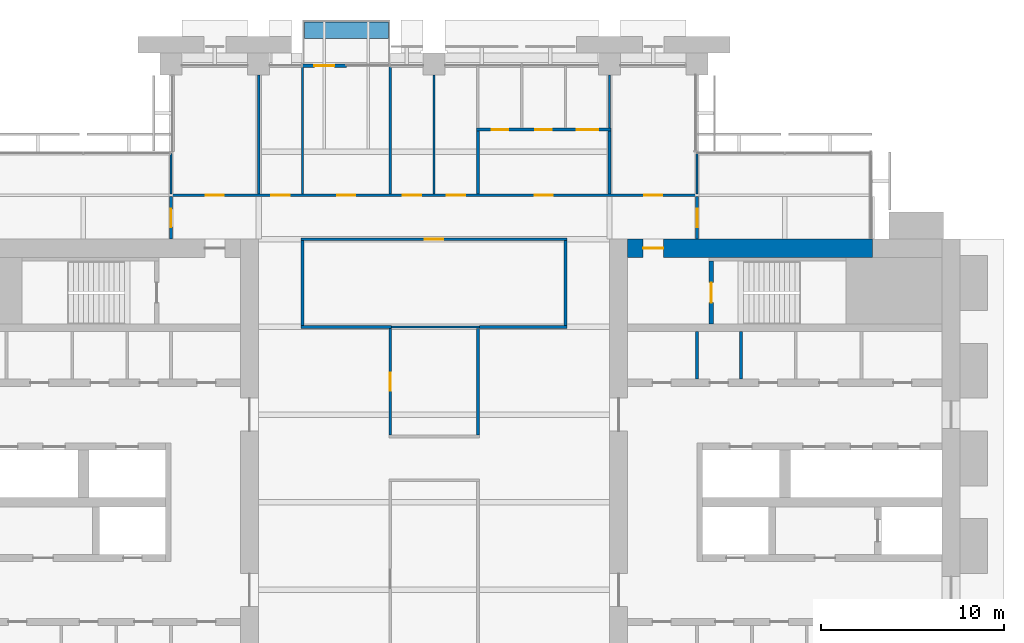
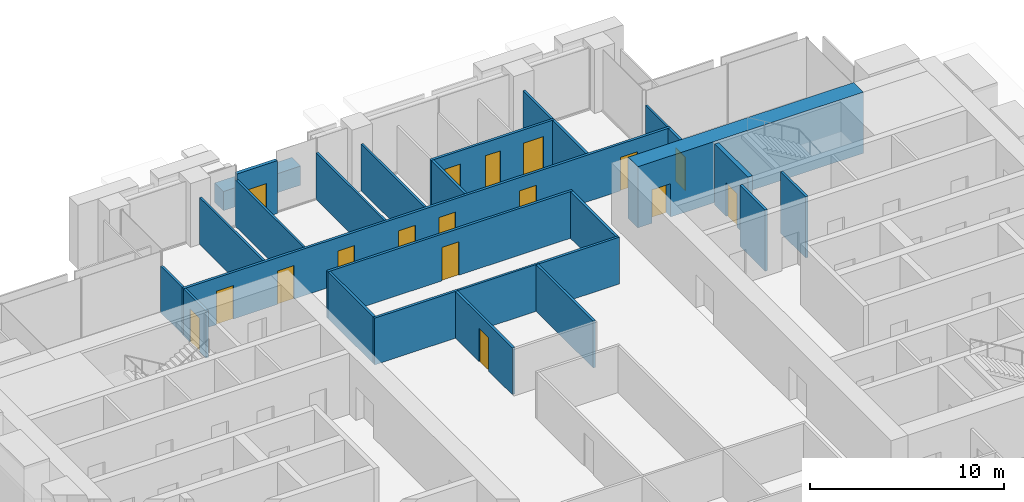
# One storey, part 12 of 15: 27 walls, 17 doors, 17 openings.
"""IFC4 building model written with IfcOpenShell, lengths in metres."""

from ifc_helpers import new_model, si_unit, direction, frame, frame_2d, origin, place, context, subcontext, project, spatial, rectangle, extrude, material, layer, layer_set, type_object, element, fill, save


model = new_model("IFC4")

# Units and contexts
model_context = context("Model", 3, precision=1e-05, world=origin(), true_north=direction((0.0, 1.0)))
body_context = subcontext(model_context, "Body", "Model", "MODEL_VIEW")
ifc_project = project(units=[si_unit("LENGTHUNIT", "METRE"), si_unit("AREAUNIT", "SQUARE_METRE"), si_unit("VOLUMEUNIT", "CUBIC_METRE"), si_unit("PLANEANGLEUNIT", "RADIAN"), si_unit("MASSUNIT", "GRAM", prefix="KILO")], contexts=[model_context])

# Site, building, storey
site_placement = place(None, origin())
site = spatial("IfcSite", under=ifc_project, at=site_placement, CompositionType="ELEMENT")
building_placement = place(site_placement, origin())
building = spatial("IfcBuilding", under=site, at=building_placement, Name="Baori Bourse Tower", CompositionType="ELEMENT")
storey_placement = place(building_placement, frame((0.0, 0.0, 128.10009765625)))
storey = spatial("IfcBuildingStorey", under=building, at=storey_placement, Name="L27", CompositionType="ELEMENT", Elevation=128.10009765625)

# Walls
ifc_material_1 = material(Name="Blockwork partition", Category="masonry")
ifc_layer_1 = layer(ifc_material_1, 0.14990234375)
ifc_layer_set_1 = layer_set([ifc_layer_1], Name="Core partition 150")
wall_type_1 = type_object("IfcWallType", Name="Core partition 150", PredefinedType="PARTITIONING", material=ifc_layer_set_1)
for number, where, z_axis, x_axis, name in (
    (1, (45.60009765625, 30.75, 0.0), (0.0, 0.0, 1.0), (0.0, 1.0, 0.0), "Partition wall E25"),
    (2, (43.199951171875, 30.75, 0.0), (0.0, 0.0, 1.0), (0.0, 1.0, 0.0), "Partition wall E26"),
):
    element("IfcWall", number, at=place(storey_placement, frame(where, z_axis=z_axis, x_axis=x_axis)), inside=storey, type_object=wall_type_1, Name=name, PredefinedType="PARTITIONING", context=body_context, shape_type="SweptSolid", body=[
        extrude(rectangle(XDim=2.60009765625, YDim=0.14990234375, at=frame_2d((1.300048828125, 0.0))), origin(), (0.0, 0.0, 1.0), 3.83984375),
    ])

# Wall, opening, door
ifc_material_2 = material(Name="Concrete f'c 60 MPa", Category="concrete")
ifc_layer_2 = layer(ifc_material_2, 1.0)
ifc_layer_set_2 = layer_set([ifc_layer_2], Name="Core wall 1000 f'c 60")
wall_type_2 = type_object("IfcWallType", Name="Core wall 1000 f'c 60", PredefinedType="SHEAR", material=ifc_layer_set_2)
wall_1_placement = place(storey_placement, frame((39.39990234375, 37.89990234375, 0.0), z_axis=(0.0, 0.0, 1.0), x_axis=(1.0, 0.0, 0.0)))
wall_1 = element("IfcWall", 3, at=wall_1_placement, inside=storey, type_object=wall_type_2, Name="Core wall E32", PredefinedType="SHEAR", context=body_context, shape_type="SweptSolid", body=[
    extrude(rectangle(XDim=13.400146484375, YDim=1.0, at=frame_2d((6.7001953125, 0.0))), origin(), (0.0, 0.0, 1.0), 3.83984375),
])
opening_1_placement = place(wall_1_placement, frame((0.85009765625, 0.0, 0.0)))
opening_1 = element("IfcOpeningElement", 4, at=opening_1_placement, cuts=wall_1, Name="Opening L27-D204", PredefinedType="OPENING", context=body_context, shape_type="SweptSolid", body=[
    extrude(rectangle(XDim=1.10009765625, YDim=2.10009765625, at=frame_2d((0.550048828125, 1.050048828125))), frame((0.0, 0.510009765625, 0.0), z_axis=(0.0, -1.0, 0.0), x_axis=(1.0, 0.0, 0.0)), (0.0, 0.0, 1.0), 1.02001953125),
])
ifc_material_3 = material(Name="Painted steel door", Category="steel")
door_type_1 = type_object("IfcDoorType", Name="Stair door 1100", OperationType="SINGLE_SWING_LEFT", PredefinedType="DOOR", material=ifc_material_3)
door_1_placement = place(opening_1_placement, origin())
door_1 = element("IfcDoor", 5, at=door_1_placement, inside=storey, type_object=door_type_1, Name="Stair vestibule door B E L27", OperationType="SINGLE_SWING_LEFT", OverallHeight=2.10009765625, OverallWidth=1.10009765625, PredefinedType="DOOR", context=body_context, shape_type="SweptSolid", body=[
    extrude(rectangle(XDim=1.10009765625, YDim=2.10009765625, at=frame_2d((0.550048828125, 1.050048828125))), frame((0.0, 0.02490234375, 0.0), z_axis=(0.0, -1.0, 0.0), x_axis=(1.0, 0.0, 0.0)), (0.0, 0.0, 1.0), 0.050048828125),
])
fill(opening_1, door_1)

# Walls
ifc_material_4 = material(Name="Gypsum board partition")
ifc_layer_3 = layer(ifc_material_4, 0.14990234375)
ifc_layer_set_3 = layer_set([ifc_layer_3], Name="Corridor partition 150")
wall_type_3 = type_object("IfcWallType", Name="Corridor partition 150", PredefinedType="PARTITIONING", material=ifc_layer_set_3)
wall_2_placement = place(storey_placement, frame((21.52490234375, 33.60009765625, 0.0), z_axis=(0.0, 0.0, 1.0), x_axis=(1.0, 0.0, 0.0)))
element("IfcWall", 6, at=wall_2_placement, inside=storey, type_object=wall_type_3, Name="Partition", PredefinedType="PARTITIONING", context=body_context, shape_type="SweptSolid", body=[
    extrude(rectangle(XDim=4.9501953125, YDim=0.14990234375, at=frame_2d((2.47509765625, 0.0))), origin(), (0.0, 0.0, 1.0), 2.935546875),
])
wall_3_placement = place(storey_placement, frame((31.27490234375, 33.60009765625, 0.0), z_axis=(0.0, 0.0, 1.0), x_axis=(1.0, 0.0, 0.0)))
element("IfcWall", 7, at=wall_3_placement, inside=storey, type_object=wall_type_3, Name="Partition", PredefinedType="PARTITIONING", context=body_context, shape_type="SweptSolid", body=[
    extrude(rectangle(XDim=4.800048828125, YDim=0.14990234375, at=frame_2d((2.39990234375, 0.0))), origin(), (0.0, 0.0, 1.0), 2.935546875),
])

# Wall, opening, door
wall_4_placement = place(storey_placement, frame((21.52490234375, 38.39990234375, 0.0), z_axis=(0.0, 0.0, 1.0), x_axis=(1.0, 0.0, 0.0)))
wall_4 = element("IfcWall", 8, at=wall_4_placement, inside=storey, type_object=wall_type_3, Name="Partition", PredefinedType="PARTITIONING", context=body_context, shape_type="SweptSolid", body=[
    extrude(rectangle(XDim=14.550048828125, YDim=0.14990234375, at=frame_2d((7.27490234375, 0.0))), origin(), (0.0, 0.0, 1.0), 2.935546875),
])
opening_2_placement = place(wall_4_placement, frame((6.77490234375, 0.0, 0.0)))
opening_2 = element("IfcOpeningElement", 9, at=opening_2_placement, cuts=wall_4, Name="Opening L27-D08", PredefinedType="OPENING", context=body_context, shape_type="SweptSolid", body=[
    extrude(rectangle(XDim=1.0, YDim=2.10009765625, at=frame_2d((0.5, 1.050048828125))), frame((0.0, 0.0849609375, 0.0), z_axis=(0.0, -1.0, 0.0), x_axis=(1.0, 0.0, 0.0)), (0.0, 0.0, 1.0), 0.169921875),
])
ifc_material_5 = material(Name="Timber door leaf", Category="wood")
door_type_2 = type_object("IfcDoorType", Name="Door 1000 x 2100", OperationType="SINGLE_SWING_LEFT", PredefinedType="DOOR", material=ifc_material_5)
door_2_placement = place(opening_2_placement, origin())
door_2 = element("IfcDoor", 10, at=door_2_placement, inside=storey, type_object=door_type_2, Name="Door", OperationType="SINGLE_SWING_LEFT", OverallHeight=2.10009765625, OverallWidth=1.0, PredefinedType="DOOR", context=body_context, shape_type="SweptSolid", body=[
    extrude(rectangle(XDim=1.0, YDim=2.10009765625, at=frame_2d((0.5, 1.050048828125))), frame((0.0, 0.02490234375, 0.0), z_axis=(0.0, -1.0, 0.0), x_axis=(1.0, 0.0, 0.0)), (0.0, 0.0, 1.0), 0.050048828125),
])
fill(opening_2, door_2)

# Wall, openings, doors
wall_5_placement = place(storey_placement, frame((14.324951171875, 40.800048828125, 0.0), z_axis=(0.0, 0.0, 1.0), x_axis=(1.0, 0.0, 0.0)))
wall_5 = element("IfcWall", 11, at=wall_5_placement, inside=storey, type_object=wall_type_3, Name="Partition", PredefinedType="PARTITIONING", context=body_context, shape_type="SweptSolid", body=[
    extrude(rectangle(XDim=28.949951171875, YDim=0.14990234375, at=frame_2d((14.47509765625, 0.0))), origin(), (0.0, 0.0, 1.0), 2.935546875),
])
opening_3_placement = place(wall_5_placement, frame((1.97509765625, 0.0, 0.0)))
opening_3 = element("IfcOpeningElement", 12, at=opening_3_placement, cuts=wall_5, Name="Opening L27-D09", PredefinedType="OPENING", context=body_context, shape_type="SweptSolid", body=[
    extrude(rectangle(XDim=1.0, YDim=2.10009765625, at=frame_2d((0.5, 1.050048828125))), frame((0.0, 0.0849609375, 0.0), z_axis=(0.0, -1.0, 0.0), x_axis=(1.0, 0.0, 0.0)), (0.0, 0.0, 1.0), 0.169921875),
])
opening_4_placement = place(wall_5_placement, frame((5.574951171875, 0.0, 0.0)))
opening_4 = element("IfcOpeningElement", 13, at=opening_4_placement, cuts=wall_5, Name="Opening L27-D10", PredefinedType="OPENING", context=body_context, shape_type="SweptSolid", body=[
    extrude(rectangle(XDim=1.0, YDim=2.10009765625, at=frame_2d((0.5, 1.050048828125))), frame((0.0, 0.0849609375, 0.0), z_axis=(0.0, -1.0, 0.0), x_axis=(1.0, 0.0, 0.0)), (0.0, 0.0, 1.0), 0.169921875),
])
opening_5_placement = place(wall_5_placement, frame((9.175048828125, 0.0, 0.0)))
opening_5 = element("IfcOpeningElement", 14, at=opening_5_placement, cuts=wall_5, Name="Opening L27-D11", PredefinedType="OPENING", context=body_context, shape_type="SweptSolid", body=[
    extrude(rectangle(XDim=1.0, YDim=2.10009765625, at=frame_2d((0.5, 1.050048828125))), frame((0.0, 0.0849609375, 0.0), z_axis=(0.0, -1.0, 0.0), x_axis=(1.0, 0.0, 0.0)), (0.0, 0.0, 1.0), 0.169921875),
])
opening_6_placement = place(wall_5_placement, frame((12.77490234375, 0.0, 0.0)))
opening_6 = element("IfcOpeningElement", 15, at=opening_6_placement, cuts=wall_5, Name="Opening L27-D12", PredefinedType="OPENING", context=body_context, shape_type="SweptSolid", body=[
    extrude(rectangle(XDim=1.0, YDim=2.10009765625, at=frame_2d((0.5, 1.050048828125))), frame((0.0, 0.0849609375, 0.0), z_axis=(0.0, -1.0, 0.0), x_axis=(1.0, 0.0, 0.0)), (0.0, 0.0, 1.0), 0.169921875),
])
opening_7_placement = place(wall_5_placement, frame((15.175048828125, 0.0, 0.0)))
opening_7 = element("IfcOpeningElement", 16, at=opening_7_placement, cuts=wall_5, Name="Opening L27-D13", PredefinedType="OPENING", context=body_context, shape_type="SweptSolid", body=[
    extrude(rectangle(XDim=1.0, YDim=2.10009765625, at=frame_2d((0.5, 1.050048828125))), frame((0.0, 0.0849609375, 0.0), z_axis=(0.0, -1.0, 0.0), x_axis=(1.0, 0.0, 0.0)), (0.0, 0.0, 1.0), 0.169921875),
])
opening_8_placement = place(wall_5_placement, frame((19.97509765625, 0.0, 0.0)))
opening_8 = element("IfcOpeningElement", 17, at=opening_8_placement, cuts=wall_5, Name="Opening L27-D14", PredefinedType="OPENING", context=body_context, shape_type="SweptSolid", body=[
    extrude(rectangle(XDim=1.0, YDim=2.10009765625, at=frame_2d((0.5, 1.050048828125))), frame((0.0, 0.0849609375, 0.0), z_axis=(0.0, -1.0, 0.0), x_axis=(1.0, 0.0, 0.0)), (0.0, 0.0, 1.0), 0.169921875),
])
opening_9_placement = place(wall_5_placement, frame((25.97509765625, 0.0, 0.0)))
opening_9 = element("IfcOpeningElement", 18, at=opening_9_placement, cuts=wall_5, Name="Opening L27-D15", PredefinedType="OPENING", context=body_context, shape_type="SweptSolid", body=[
    extrude(rectangle(XDim=1.0, YDim=2.10009765625, at=frame_2d((0.5, 1.050048828125))), frame((0.0, 0.0849609375, 0.0), z_axis=(0.0, -1.0, 0.0), x_axis=(1.0, 0.0, 0.0)), (0.0, 0.0, 1.0), 0.169921875),
])
door_3_placement = place(opening_3_placement, origin())
door_3 = element("IfcDoor", 19, at=door_3_placement, inside=storey, type_object=door_type_2, Name="Door", OperationType="SINGLE_SWING_RIGHT", OverallHeight=2.10009765625, OverallWidth=1.0, PredefinedType="DOOR", context=body_context, shape_type="SweptSolid", body=[
    extrude(rectangle(XDim=1.0, YDim=2.10009765625, at=frame_2d((0.5, 1.050048828125))), frame((0.0, 0.02490234375, 0.0), z_axis=(0.0, -1.0, 0.0), x_axis=(1.0, 0.0, 0.0)), (0.0, 0.0, 1.0), 0.050048828125),
])
fill(opening_3, door_3)
door_4_placement = place(opening_4_placement, origin())
door_4 = element("IfcDoor", 20, at=door_4_placement, inside=storey, type_object=door_type_2, Name="Door", OperationType="SINGLE_SWING_RIGHT", OverallHeight=2.10009765625, OverallWidth=1.0, PredefinedType="DOOR", context=body_context, shape_type="SweptSolid", body=[
    extrude(rectangle(XDim=1.0, YDim=2.10009765625, at=frame_2d((0.5, 1.050048828125))), frame((0.0, 0.02490234375, 0.0), z_axis=(0.0, -1.0, 0.0), x_axis=(1.0, 0.0, 0.0)), (0.0, 0.0, 1.0), 0.050048828125),
])
fill(opening_4, door_4)
door_5_placement = place(opening_5_placement, origin())
door_5 = element("IfcDoor", 21, at=door_5_placement, inside=storey, type_object=door_type_2, Name="Door", OperationType="SINGLE_SWING_RIGHT", OverallHeight=2.10009765625, OverallWidth=1.0, PredefinedType="DOOR", context=body_context, shape_type="SweptSolid", body=[
    extrude(rectangle(XDim=1.0, YDim=2.10009765625, at=frame_2d((0.5, 1.050048828125))), frame((0.0, 0.02490234375, 0.0), z_axis=(0.0, -1.0, 0.0), x_axis=(1.0, 0.0, 0.0)), (0.0, 0.0, 1.0), 0.050048828125),
])
fill(opening_5, door_5)
door_6_placement = place(opening_6_placement, origin())
door_6 = element("IfcDoor", 22, at=door_6_placement, inside=storey, type_object=door_type_2, Name="Door", OperationType="SINGLE_SWING_RIGHT", OverallHeight=2.10009765625, OverallWidth=1.0, PredefinedType="DOOR", context=body_context, shape_type="SweptSolid", body=[
    extrude(rectangle(XDim=1.0, YDim=2.10009765625, at=frame_2d((0.5, 1.050048828125))), frame((0.0, 0.02490234375, 0.0), z_axis=(0.0, -1.0, 0.0), x_axis=(1.0, 0.0, 0.0)), (0.0, 0.0, 1.0), 0.050048828125),
])
fill(opening_6, door_6)
door_7_placement = place(opening_7_placement, origin())
door_7 = element("IfcDoor", 23, at=door_7_placement, inside=storey, type_object=door_type_2, Name="Door", OperationType="SINGLE_SWING_LEFT", OverallHeight=2.10009765625, OverallWidth=1.0, PredefinedType="DOOR", context=body_context, shape_type="SweptSolid", body=[
    extrude(rectangle(XDim=1.0, YDim=2.10009765625, at=frame_2d((0.5, 1.050048828125))), frame((0.0, 0.02490234375, 0.0), z_axis=(0.0, -1.0, 0.0), x_axis=(1.0, 0.0, 0.0)), (0.0, 0.0, 1.0), 0.050048828125),
])
fill(opening_7, door_7)
door_8_placement = place(opening_8_placement, origin())
door_8 = element("IfcDoor", 24, at=door_8_placement, inside=storey, type_object=door_type_2, Name="Door", OperationType="SINGLE_SWING_RIGHT", OverallHeight=2.10009765625, OverallWidth=1.0, PredefinedType="DOOR", context=body_context, shape_type="SweptSolid", body=[
    extrude(rectangle(XDim=1.0, YDim=2.10009765625, at=frame_2d((0.5, 1.050048828125))), frame((0.0, 0.02490234375, 0.0), z_axis=(0.0, -1.0, 0.0), x_axis=(1.0, 0.0, 0.0)), (0.0, 0.0, 1.0), 0.050048828125),
])
fill(opening_8, door_8)
door_9_placement = place(opening_9_placement, origin())
door_9 = element("IfcDoor", 25, at=door_9_placement, inside=storey, type_object=door_type_2, Name="Door", OperationType="SINGLE_SWING_LEFT", OverallHeight=2.10009765625, OverallWidth=1.0, PredefinedType="DOOR", context=body_context, shape_type="SweptSolid", body=[
    extrude(rectangle(XDim=1.0, YDim=2.10009765625, at=frame_2d((0.5, 1.050048828125))), frame((0.0, 0.02490234375, 0.0), z_axis=(0.0, -1.0, 0.0), x_axis=(1.0, 0.0, 0.0)), (0.0, 0.0, 1.0), 0.050048828125),
])
fill(opening_9, door_9)

wall_6_placement = place(storey_placement, frame((31.125, 44.39990234375, 0.0), z_axis=(0.0, 0.0, 1.0), x_axis=(1.0, 0.0, 0.0)))
wall_6 = element("IfcWall", 26, at=wall_6_placement, inside=storey, type_object=wall_type_3, Name="Partition", PredefinedType="PARTITIONING", context=body_context, shape_type="SweptSolid", body=[
    extrude(rectangle(XDim=7.35009765625, YDim=0.14990234375, at=frame_2d((3.675048828125, 0.0))), origin(), (0.0, 0.0, 1.0), 2.935546875),
])
opening_10_placement = place(wall_6_placement, frame((0.824951171875, 0.0, 0.0)))
opening_10 = element("IfcOpeningElement", 27, at=opening_10_placement, cuts=wall_6, Name="Opening L27-D16", PredefinedType="OPENING", context=body_context, shape_type="SweptSolid", body=[
    extrude(rectangle(XDim=0.89990234375, YDim=2.10009765625, at=frame_2d((0.449951171875, 1.050048828125))), frame((0.0, 0.0849609375, 0.0), z_axis=(0.0, -1.0, 0.0), x_axis=(1.0, 0.0, 0.0)), (0.0, 0.0, 1.0), 0.169921875),
])
opening_11_placement = place(wall_6_placement, frame((3.22509765625, 0.0, 0.0)))
opening_11 = element("IfcOpeningElement", 28, at=opening_11_placement, cuts=wall_6, Name="Opening L27-D17", PredefinedType="OPENING", context=body_context, shape_type="SweptSolid", body=[
    extrude(rectangle(XDim=0.89990234375, YDim=2.10009765625, at=frame_2d((0.449951171875, 1.050048828125))), frame((0.0, 0.0849609375, 0.0), z_axis=(0.0, -1.0, 0.0), x_axis=(1.0, 0.0, 0.0)), (0.0, 0.0, 1.0), 0.169921875),
])
opening_12_placement = place(wall_6_placement, frame((5.47509765625, 0.0, 0.0)))
opening_12 = element("IfcOpeningElement", 29, at=opening_12_placement, cuts=wall_6, Name="Opening L27-D18", PredefinedType="OPENING", context=body_context, shape_type="SweptSolid", body=[
    extrude(rectangle(XDim=1.199951171875, YDim=2.10009765625, at=frame_2d((0.60009765625, 1.050048828125))), frame((0.0, 0.0849609375, 0.0), z_axis=(0.0, -1.0, 0.0), x_axis=(1.0, 0.0, 0.0)), (0.0, 0.0, 1.0), 0.169921875),
])
ifc_material_6 = material(Name="Timber door leaf", Category="wood")
door_type_3 = type_object("IfcDoorType", Name="Door 1200 x 2100", OperationType="SINGLE_SWING_LEFT", PredefinedType="DOOR", material=ifc_material_6)
door_10_placement = place(opening_12_placement, origin())
door_10 = element("IfcDoor", 30, at=door_10_placement, inside=storey, type_object=door_type_3, Name="Door", OperationType="SINGLE_SWING_LEFT", OverallHeight=2.10009765625, OverallWidth=1.199951171875, PredefinedType="DOOR", context=body_context, shape_type="SweptSolid", body=[
    extrude(rectangle(XDim=1.199951171875, YDim=2.10009765625, at=frame_2d((0.60009765625, 1.050048828125))), frame((0.0, 0.02490234375, 0.0), z_axis=(0.0, -1.0, 0.0), x_axis=(1.0, 0.0, 0.0)), (0.0, 0.0, 1.0), 0.050048828125),
])
fill(opening_12, door_10)
ifc_material_7 = material(Name="Timber door leaf", Category="wood")
door_type_4 = type_object("IfcDoorType", Name="Door 900 x 2100", OperationType="SINGLE_SWING_LEFT", PredefinedType="DOOR", material=ifc_material_7)
door_11_placement = place(opening_10_placement, origin())
door_11 = element("IfcDoor", 31, at=door_11_placement, inside=storey, type_object=door_type_4, Name="Door", OperationType="SINGLE_SWING_RIGHT", OverallHeight=2.10009765625, OverallWidth=0.89990234375, PredefinedType="DOOR", context=body_context, shape_type="SweptSolid", body=[
    extrude(rectangle(XDim=0.89990234375, YDim=2.10009765625, at=frame_2d((0.449951171875, 1.050048828125))), frame((0.0, 0.02490234375, 0.0), z_axis=(0.0, -1.0, 0.0), x_axis=(1.0, 0.0, 0.0)), (0.0, 0.0, 1.0), 0.050048828125),
])
fill(opening_10, door_11)
door_12_placement = place(opening_11_placement, origin())
door_12 = element("IfcDoor", 32, at=door_12_placement, inside=storey, type_object=door_type_4, Name="Door", OperationType="SINGLE_SWING_RIGHT", OverallHeight=2.10009765625, OverallWidth=0.89990234375, PredefinedType="DOOR", context=body_context, shape_type="SweptSolid", body=[
    extrude(rectangle(XDim=0.89990234375, YDim=2.10009765625, at=frame_2d((0.449951171875, 1.050048828125))), frame((0.0, 0.02490234375, 0.0), z_axis=(0.0, -1.0, 0.0), x_axis=(1.0, 0.0, 0.0)), (0.0, 0.0, 1.0), 0.050048828125),
])
fill(opening_11, door_12)

# Wall, opening, door
wall_7_placement = place(storey_placement, frame((14.39990234375, 38.39990234375, 0.0), z_axis=(0.0, 0.0, 1.0), x_axis=(0.0, 1.0, 0.0)))
wall_7 = element("IfcWall", 33, at=wall_7_placement, inside=storey, type_object=wall_type_3, Name="Partition", PredefinedType="PARTITIONING", context=body_context, shape_type="SweptSolid", body=[
    extrude(rectangle(XDim=2.3251953125, YDim=0.14990234375, at=frame_2d((1.16259765625, 0.0))), origin(), (0.0, 0.0, 1.0), 2.935546875),
])
opening_13_placement = place(wall_7_placement, frame((0.66259765625, 0.0, 0.0)))
opening_13 = element("IfcOpeningElement", 34, at=opening_13_placement, cuts=wall_7, Name="Opening L27-D20", PredefinedType="OPENING", context=body_context, shape_type="SweptSolid", body=[
    extrude(rectangle(XDim=1.0, YDim=2.10009765625, at=frame_2d((0.5, 1.050048828125))), frame((0.0, 0.0849609375, 0.0), z_axis=(0.0, -1.0, 0.0), x_axis=(1.0, 0.0, 0.0)), (0.0, 0.0, 1.0), 0.169921875),
])
door_13_placement = place(opening_13_placement, origin())
door_13 = element("IfcDoor", 35, at=door_13_placement, inside=storey, type_object=door_type_2, Name="Door", OperationType="SINGLE_SWING_RIGHT", OverallHeight=2.10009765625, OverallWidth=1.0, PredefinedType="DOOR", context=body_context, shape_type="SweptSolid", body=[
    extrude(rectangle(XDim=1.0, YDim=2.10009765625, at=frame_2d((0.5, 1.050048828125))), frame((0.0, 0.02490234375, 0.0), z_axis=(0.0, -1.0, 0.0), x_axis=(1.0, 0.0, 0.0)), (0.0, 0.0, 1.0), 0.050048828125),
])
fill(opening_13, door_13)

# Wall
wall_8_placement = place(storey_placement, frame((21.60009765625, 33.675048828125, 0.0), z_axis=(0.0, 0.0, 1.0), x_axis=(0.0, 1.0, 0.0)))
element("IfcWall", 36, at=wall_8_placement, inside=storey, type_object=wall_type_3, Name="Partition", PredefinedType="PARTITIONING", context=body_context, shape_type="SweptSolid", body=[
    extrude(rectangle(XDim=4.64990234375, YDim=0.14990234375, at=frame_2d((2.324951171875, 0.0))), origin(), (0.0, 0.0, 1.0), 2.935546875),
])

# Wall, opening, door
wall_9_placement = place(storey_placement, frame((26.39990234375, 27.675048828125, 0.0), z_axis=(0.0, 0.0, 1.0), x_axis=(0.0, 1.0, 0.0)))
wall_9 = element("IfcWall", 37, at=wall_9_placement, inside=storey, type_object=wall_type_3, Name="Partition", PredefinedType="PARTITIONING", context=body_context, shape_type="SweptSolid", body=[
    extrude(rectangle(XDim=5.849853515625, YDim=0.14990234375, at=frame_2d((2.9248046875, 0.0))), origin(), (0.0, 0.0, 1.0), 2.935546875),
])
opening_14_placement = place(wall_9_placement, frame((2.425048828125, 0.0, 0.0)))
opening_14 = element("IfcOpeningElement", 38, at=opening_14_placement, cuts=wall_9, Name="Opening L27-D23", PredefinedType="OPENING", context=body_context, shape_type="SweptSolid", body=[
    extrude(rectangle(XDim=1.0, YDim=2.10009765625, at=frame_2d((0.5, 1.050048828125))), frame((0.0, 0.0849609375, 0.0), z_axis=(0.0, -1.0, 0.0), x_axis=(1.0, 0.0, 0.0)), (0.0, 0.0, 1.0), 0.169921875),
])
door_14_placement = place(opening_14_placement, origin())
door_14 = element("IfcDoor", 39, at=door_14_placement, inside=storey, type_object=door_type_2, Name="Door", OperationType="SINGLE_SWING_RIGHT", OverallHeight=2.10009765625, OverallWidth=1.0, PredefinedType="DOOR", context=body_context, shape_type="SweptSolid", body=[
    extrude(rectangle(XDim=1.0, YDim=2.10009765625, at=frame_2d((0.5, 1.050048828125))), frame((0.0, 0.02490234375, 0.0), z_axis=(0.0, -1.0, 0.0), x_axis=(1.0, 0.0, 0.0)), (0.0, 0.0, 1.0), 0.050048828125),
])
fill(opening_14, door_14)

# Walls
wall_10_placement = place(storey_placement, frame((31.199951171875, 27.675048828125, 0.0), z_axis=(0.0, 0.0, 1.0), x_axis=(0.0, 1.0, 0.0)))
element("IfcWall", 40, at=wall_10_placement, inside=storey, type_object=wall_type_3, Name="Partition", PredefinedType="PARTITIONING", context=body_context, shape_type="SweptSolid", body=[
    extrude(rectangle(XDim=5.849853515625, YDim=0.14990234375, at=frame_2d((2.9248046875, 0.0))), origin(), (0.0, 0.0, 1.0), 2.935546875),
])
wall_11_placement = place(storey_placement, frame((31.199951171875, 40.875, 0.0), z_axis=(0.0, 0.0, 1.0), x_axis=(0.0, 1.0, 0.0)))
element("IfcWall", 41, at=wall_11_placement, inside=storey, type_object=wall_type_3, Name="Partition", PredefinedType="PARTITIONING", context=body_context, shape_type="SweptSolid", body=[
    extrude(rectangle(XDim=3.449951171875, YDim=0.14990234375, at=frame_2d((1.72509765625, 0.0))), origin(), (0.0, 0.0, 1.0), 2.935546875),
])
wall_12_placement = place(storey_placement, frame((36.0, 33.675048828125, 0.0), z_axis=(0.0, 0.0, 1.0), x_axis=(0.0, 1.0, 0.0)))
element("IfcWall", 42, at=wall_12_placement, inside=storey, type_object=wall_type_3, Name="Partition", PredefinedType="PARTITIONING", context=body_context, shape_type="SweptSolid", body=[
    extrude(rectangle(XDim=4.64990234375, YDim=0.14990234375, at=frame_2d((2.324951171875, 0.0))), origin(), (0.0, 0.0, 1.0), 2.935546875),
])
wall_13_placement = place(storey_placement, frame((38.39990234375, 40.875, 0.0), z_axis=(0.0, 0.0, 1.0), x_axis=(0.0, 1.0, 0.0)))
element("IfcWall", 43, at=wall_13_placement, inside=storey, type_object=wall_type_3, Name="Partition", PredefinedType="PARTITIONING", context=body_context, shape_type="SweptSolid", body=[
    extrude(rectangle(XDim=3.449951171875, YDim=0.14990234375, at=frame_2d((1.72509765625, 0.0))), origin(), (0.0, 0.0, 1.0), 2.935546875),
])

# Wall, opening, door
wall_14_placement = place(storey_placement, frame((43.199951171875, 38.39990234375, 0.0), z_axis=(0.0, 0.0, 1.0), x_axis=(0.0, 1.0, 0.0)))
wall_14 = element("IfcWall", 44, at=wall_14_placement, inside=storey, type_object=wall_type_3, Name="Partition", PredefinedType="PARTITIONING", context=body_context, shape_type="SweptSolid", body=[
    extrude(rectangle(XDim=2.3251953125, YDim=0.14990234375, at=frame_2d((1.16259765625, 0.0))), origin(), (0.0, 0.0, 1.0), 2.935546875),
])
opening_15_placement = place(wall_14_placement, frame((0.66259765625, 0.0, 0.0)))
opening_15 = element("IfcOpeningElement", 45, at=opening_15_placement, cuts=wall_14, Name="Opening L27-D25", PredefinedType="OPENING", context=body_context, shape_type="SweptSolid", body=[
    extrude(rectangle(XDim=1.0, YDim=2.10009765625, at=frame_2d((0.5, 1.050048828125))), frame((0.0, 0.0849609375, 0.0), z_axis=(0.0, -1.0, 0.0), x_axis=(1.0, 0.0, 0.0)), (0.0, 0.0, 1.0), 0.169921875),
])
door_15_placement = place(opening_15_placement, origin())
door_15 = element("IfcDoor", 46, at=door_15_placement, inside=storey, type_object=door_type_2, Name="Door", OperationType="SINGLE_SWING_LEFT", OverallHeight=2.10009765625, OverallWidth=1.0, PredefinedType="DOOR", context=body_context, shape_type="SweptSolid", body=[
    extrude(rectangle(XDim=1.0, YDim=2.10009765625, at=frame_2d((0.5, 1.050048828125))), frame((0.0, 0.02490234375, 0.0), z_axis=(0.0, -1.0, 0.0), x_axis=(1.0, 0.0, 0.0)), (0.0, 0.0, 1.0), 0.050048828125),
])
fill(opening_15, door_15)

ifc_material_8 = material(Name="Pale anodised aluminium", Category="aluminium")
ifc_layer_4 = layer(ifc_material_8, 0.199951171875)
ifc_layer_set_4 = layer_set([ifc_layer_4], Name="EW1 External wall bay")
wall_type_4 = type_object("IfcWallType", Name="EW1 External wall bay", PredefinedType="SOLIDWALL", material=ifc_layer_set_4)
wall_15_placement = place(storey_placement, frame((24.0, 47.89990234375, 0.0), z_axis=(0.0, 0.0, 1.0), x_axis=(-1.0, 0.0, 0.0)))
wall_15 = element("IfcWall", 47, at=wall_15_placement, inside=storey, type_object=wall_type_4, Name="External wall bay L27 1", PredefinedType="SOLIDWALL", context=body_context, shape_type="SweptSolid", body=[
    extrude(rectangle(XDim=2.39990234375, YDim=0.199951171875, at=frame_2d((1.199951171875, 0.0))), origin(), (0.0, 0.0, 1.0), 3.314208984375),
])
opening_16_placement = place(wall_15_placement, frame((0.64990234375, 0.0, 0.0)))
opening_16 = element("IfcOpeningElement", 48, at=opening_16_placement, cuts=wall_15, Name="Opening L27-D91", PredefinedType="OPENING", context=body_context, shape_type="SweptSolid", body=[
    extrude(rectangle(XDim=1.10009765625, YDim=2.10009765625, at=frame_2d((0.550048828125, 1.050048828125))), frame((0.0, 0.10986328125, 0.0), z_axis=(0.0, -1.0, 0.0), x_axis=(1.0, 0.0, 0.0)), (0.0, 0.0, 1.0), 0.219970703125),
])
ifc_material_9 = material(Name="Pale anodised aluminium", Category="aluminium")
door_type_5 = type_object("IfcDoorType", Name="BL1 Balcony door", OperationType="SINGLE_SWING_LEFT", PredefinedType="DOOR", material=ifc_material_9)
door_16_placement = place(opening_16_placement, origin())
door_16 = element("IfcDoor", 49, at=door_16_placement, inside=storey, type_object=door_type_5, Name="Balcony door L27 1", OperationType="SINGLE_SWING_LEFT", OverallHeight=2.10009765625, OverallWidth=1.10009765625, PredefinedType="DOOR", context=body_context, shape_type="SweptSolid", body=[
    extrude(rectangle(XDim=1.10009765625, YDim=2.10009765625, at=frame_2d((0.550048828125, 1.050048828125))), frame((0.0, 0.02490234375, 0.0), z_axis=(0.0, -1.0, 0.0), x_axis=(1.0, 0.0, 0.0)), (0.0, 0.0, 1.0), 0.050048828125),
])
fill(opening_16, door_16)

# Walls
ifc_material_10 = material(Name="Concrete f'c 40 MPa", Category="concrete")
ifc_layer_5 = layer(ifc_material_10, 0.89990234375)
ifc_layer_set_5 = layer_set([ifc_layer_5], Name="PW1 Planter wall")
wall_type_5 = type_object("IfcWallType", Name="PW1 Planter wall", PredefinedType="USERDEFINED", material=ifc_layer_set_5)
wall_16_placement = place(storey_placement, frame((21.699951171875, 49.85009765625, 0.0), z_axis=(0.0, 0.0, 1.0), x_axis=(1.0, 0.0, 0.0)))
element("IfcWall", 50, at=wall_16_placement, inside=storey, type_object=wall_type_5, Name="Planter balcony N L27 2", ObjectType="PLANTER", PredefinedType="USERDEFINED", context=body_context, shape_type="SweptSolid", body=[
    extrude(rectangle(XDim=4.60009765625, YDim=0.89990234375, at=frame_2d((2.300048828125, 0.0))), origin(), (0.0, 0.0, 1.0), 1.199951171875),
])
ifc_material_11 = material(Name="Gypsum board partition")
ifc_layer_6 = layer(ifc_material_11, 0.125)
ifc_layer_set_6 = layer_set([ifc_layer_6], Name="Partition 125")
wall_type_6 = type_object("IfcWallType", Name="Partition 125", PredefinedType="PARTITIONING", material=ifc_layer_set_6)
wall_17_placement = place(storey_placement, frame((26.47509765625, 33.60009765625, 0.0), z_axis=(0.0, 0.0, 1.0), x_axis=(1.0, 0.0, 0.0)))
element("IfcWall", 51, at=wall_17_placement, inside=storey, type_object=wall_type_6, Name="Partition", PredefinedType="PARTITIONING", context=body_context, shape_type="SweptSolid", body=[
    extrude(rectangle(XDim=4.7998046875, YDim=0.125, at=frame_2d((2.39990234375, 0.0))), origin(), (0.0, 0.0, 1.0), 2.935546875),
])
wall_18_placement = place(storey_placement, frame((14.39990234375, 40.875, 0.0), z_axis=(0.0, 0.0, 1.0), x_axis=(0.0, 1.0, 0.0)))
element("IfcWall", 52, at=wall_18_placement, inside=storey, type_object=wall_type_6, Name="Partition", PredefinedType="PARTITIONING", context=body_context, shape_type="SweptSolid", body=[
    extrude(rectangle(XDim=2.22509765625, YDim=0.125, at=frame_2d((1.112548828125, 0.0))), origin(), (0.0, 0.0, 1.0), 2.935546875),
])
wall_19_placement = place(storey_placement, frame((19.199951171875, 40.875, 0.0), z_axis=(0.0, 0.0, 1.0), x_axis=(0.0, 1.0, 0.0)))
element("IfcWall", 53, at=wall_19_placement, inside=storey, type_object=wall_type_6, Name="Partition", PredefinedType="PARTITIONING", context=body_context, shape_type="SweptSolid", body=[
    extrude(rectangle(XDim=6.52490234375, YDim=0.125, at=frame_2d((3.262451171875, 0.0))), origin(), (0.0, 0.0, 1.0), 2.935546875),
])
for number, where, z_axis, x_axis, name in (
    (54, (21.60009765625, 40.875, 0.0), (0.0, 0.0, 1.0), (0.0, 1.0, 0.0), "Partition"),
    (55, (26.39990234375, 40.875, 0.0), (0.0, 0.0, 1.0), (0.0, 1.0, 0.0), "Partition"),
):
    element("IfcWall", number, at=place(storey_placement, frame(where, z_axis=z_axis, x_axis=x_axis)), inside=storey, type_object=wall_type_6, Name=name, PredefinedType="PARTITIONING", context=body_context, shape_type="SweptSolid", body=[
        extrude(rectangle(XDim=7.02490234375, YDim=0.125, at=frame_2d((3.512451171875, 0.0))), origin(), (0.0, 0.0, 1.0), 2.935546875),
    ])
wall_20_placement = place(storey_placement, frame((28.800048828125, 40.875, 0.0), z_axis=(0.0, 0.0, 1.0), x_axis=(0.0, 1.0, 0.0)))
element("IfcWall", 56, at=wall_20_placement, inside=storey, type_object=wall_type_6, Name="Partition", PredefinedType="PARTITIONING", context=body_context, shape_type="SweptSolid", body=[
    extrude(rectangle(XDim=6.52490234375, YDim=0.125, at=frame_2d((3.262451171875, 0.0))), origin(), (0.0, 0.0, 1.0), 2.935546875),
])
wall_21_placement = place(storey_placement, frame((38.39990234375, 44.47509765625, 0.0), z_axis=(0.0, 0.0, 1.0), x_axis=(0.0, 1.0, 0.0)))
element("IfcWall", 57, at=wall_21_placement, inside=storey, type_object=wall_type_6, Name="Partition", PredefinedType="PARTITIONING", context=body_context, shape_type="SweptSolid", body=[
    extrude(rectangle(XDim=2.9248046875, YDim=0.125, at=frame_2d((1.46240234375, 0.0))), origin(), (0.0, 0.0, 1.0), 2.935546875),
])
wall_22_placement = place(storey_placement, frame((43.199951171875, 40.875, 0.0), z_axis=(0.0, 0.0, 1.0), x_axis=(0.0, 1.0, 0.0)))
element("IfcWall", 58, at=wall_22_placement, inside=storey, type_object=wall_type_6, Name="Partition", PredefinedType="PARTITIONING", context=body_context, shape_type="SweptSolid", body=[
    extrude(rectangle(XDim=2.22509765625, YDim=0.125, at=frame_2d((1.112548828125, 0.0))), origin(), (0.0, 0.0, 1.0), 2.935546875),
])

# Wall, opening, door
ifc_material_12 = material(Name="Concrete f'c 60 MPa", Category="concrete")
ifc_layer_7 = layer(ifc_material_12, 0.25)
ifc_layer_set_7 = layer_set([ifc_layer_7], Name="Shaft wall 250 f'c 60")
wall_type_7 = type_object("IfcWallType", Name="Shaft wall 250 f'c 60", PredefinedType="SHEAR", material=ifc_layer_set_7)
wall_23_placement = place(storey_placement, frame((43.97509765625, 33.75, 0.0), z_axis=(0.0, 0.0, 1.0), x_axis=(0.0, 1.0, 0.0)))
wall_23 = element("IfcWall", 59, at=wall_23_placement, inside=storey, type_object=wall_type_7, Name="Core wall E29", PredefinedType="SHEAR", context=body_context, shape_type="SweptSolid", body=[
    extrude(rectangle(XDim=3.449951171875, YDim=0.25, at=frame_2d((1.72509765625, 0.0))), origin(), (0.0, 0.0, 1.0), 3.83984375),
])
opening_17_placement = place(wall_23_placement, frame((1.175048828125, 0.0, 0.0)))
opening_17 = element("IfcOpeningElement", 60, at=opening_17_placement, cuts=wall_23, Name="Opening L27-D203", PredefinedType="OPENING", context=body_context, shape_type="SweptSolid", body=[
    extrude(rectangle(XDim=1.10009765625, YDim=2.10009765625, at=frame_2d((0.550048828125, 1.050048828125))), frame((0.0, 0.135009765625, 0.0), z_axis=(0.0, -1.0, 0.0), x_axis=(1.0, 0.0, 0.0)), (0.0, 0.0, 1.0), 0.27001953125),
])
door_17_placement = place(opening_17_placement, origin())
door_17 = element("IfcDoor", 61, at=door_17_placement, inside=storey, type_object=door_type_1, Name="Stair door B E L27", OperationType="SINGLE_SWING_LEFT", OverallHeight=2.10009765625, OverallWidth=1.10009765625, PredefinedType="DOOR", context=body_context, shape_type="SweptSolid", body=[
    extrude(rectangle(XDim=1.10009765625, YDim=2.10009765625, at=frame_2d((0.550048828125, 1.050048828125))), frame((0.0, 0.02490234375, 0.0), z_axis=(0.0, -1.0, 0.0), x_axis=(1.0, 0.0, 0.0)), (0.0, 0.0, 1.0), 0.050048828125),
])
fill(opening_17, door_17)

save(model, "model.ifc")
